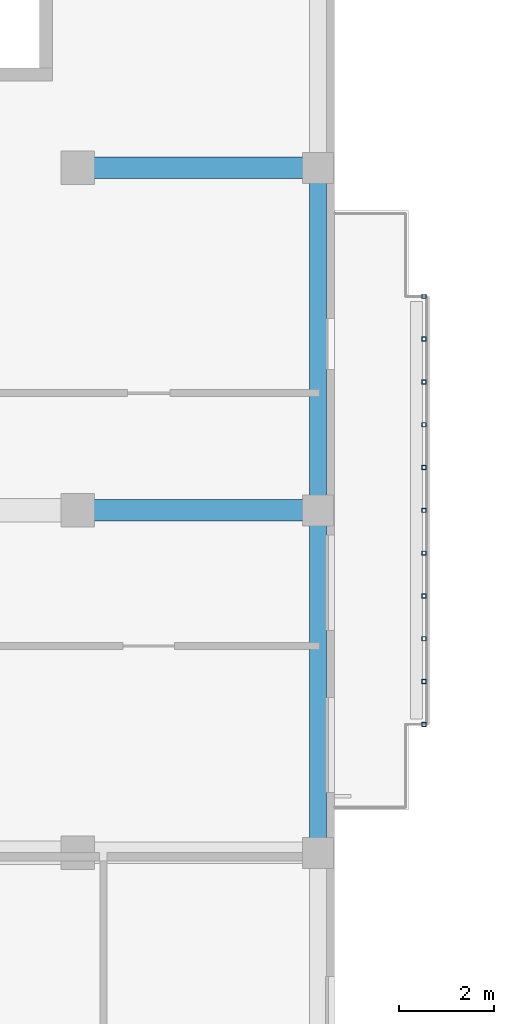
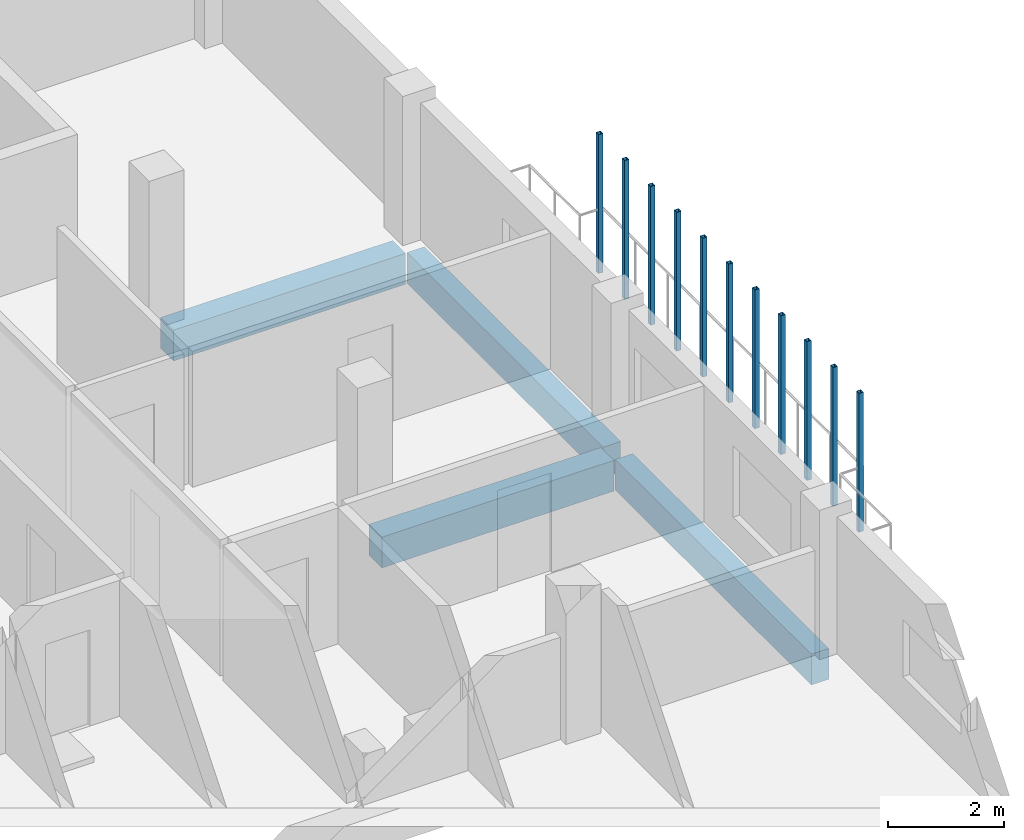
# One storey, part 13 of 51: 11 members, 4 beams.
"""IFC4 building model written with IfcOpenShell, lengths in metres."""

from ifc_helpers import new_model, si_unit, derived_unit, direction, frame, origin, origin_2d, place, context, subcontext, project, spatial, rectangle, hollow_rectangle, extrude, material, material_profile, profile_set, type_object, element, save


model = new_model("IFC4")

# Units and contexts
model_context = context("Model", 3, precision=1e-05, world=origin(), true_north=direction((0.0, 1.0)))
body_context = subcontext(model_context, "Body", "Model", "MODEL_VIEW")
ifc_project = project(units=[si_unit("LENGTHUNIT", "METRE"), si_unit("AREAUNIT", "SQUARE_METRE"), si_unit("VOLUMEUNIT", "CUBIC_METRE"), si_unit("PLANEANGLEUNIT", "RADIAN"), si_unit("MASSUNIT", "GRAM", prefix="KILO"), derived_unit("THERMALTRANSMITTANCEUNIT", [(si_unit("MASSUNIT", "GRAM", prefix="KILO"), 1), (si_unit("TIMEUNIT", "SECOND"), -3), (si_unit("THERMODYNAMICTEMPERATUREUNIT", "KELVIN"), -1)])], contexts=[model_context])

# Site, building, storey
site_placement = place(None, origin())
site = spatial("IfcSite", under=ifc_project, at=site_placement, CompositionType="ELEMENT")
building_placement = place(site_placement, origin())
building = spatial("IfcBuilding", under=site, at=building_placement, Name="Ochrekiln Boulevard Commons", CompositionType="ELEMENT")
storey_placement = place(building_placement, frame((0.0, 0.0, 15.22509765625)))
storey = spatial("IfcBuildingStorey", under=building, at=storey_placement, Name="L04", CompositionType="ELEMENT", Elevation=15.22509765625)

# Beams
ifc_material_1 = material(Name="Concrete C35/45", Category="concrete")
ifc_material_profile_1 = material_profile(ifc_material_1, rectangle(XDim=0.449951171875, YDim=0.64990234375, at=origin_2d()), Name="RC-BM-450x650")
ifc_profile_set_1 = profile_set([ifc_material_profile_1], Name="Concrete C35/45")
beam_type_1 = type_object("IfcBeamType", Name="BM-RC-450x650", PredefinedType="BEAM", material=ifc_profile_set_1)
for number, where, z_axis, x_axis, name in (
    (1, (16.409912109375, 104.39990234375, -0.585205078125), (1.0, 0.0, 0.0), (0.0, 1.0, 0.0), "Block A L04 Beam B-4565 X17"),
    (2, (16.409912109375, 111.60009765625, -0.585205078125), (1.0, 0.0, 0.0), (0.0, 1.0, 0.0), "Block A L04 Beam B-4565 X19"),
):
    element("IfcBeam", number, at=place(storey_placement, frame(where, z_axis=z_axis, x_axis=x_axis)), inside=storey, type_object=beam_type_1, Name=name, PredefinedType="BEAM", context=body_context, shape_type="SweptSolid", body=[
        extrude(rectangle(XDim=0.449951171875, YDim=0.64990234375, at=origin_2d()), origin(), (0.0, 0.0, 1.0), 4.630126953125),
    ])

# Members
ifc_material_2 = material(Name="Steel A500 Grade C", Category="steel")
ifc_material_profile_2 = material_profile(ifc_material_2, hollow_rectangle(XDim=0.090087890625, YDim=0.090087890625, WallThickness=0.00634765625, at=origin_2d()), Name="HSS90X90X6.4")
ifc_profile_set_2 = profile_set([ifc_material_profile_2], Name="Steel A500 Grade C")
member_type = type_object("IfcMemberType", Name="MEM-PST-HSS90", PredefinedType="POST", material=ifc_profile_set_2)
for number, where, z_axis, x_axis, name in (
    (3, (23.47998046875, 99.89990234375, 0.0), (0.0, 0.0, 1.0), (1.0, 0.0, 0.0), "Block A L04 Slim Vertical Balcony Post (100)"),
    (4, (23.47998046875, 100.800048828125, 0.0), (0.0, 0.0, 1.0), (1.0, 0.0, 0.0), "Block A L04 Slim Vertical Balcony Post (101)"),
    (5, (23.47998046875, 101.699951171875, 0.0), (0.0, 0.0, 1.0), (1.0, 0.0, 0.0), "Block A L04 Slim Vertical Balcony Post (102)"),
    (6, (23.47998046875, 102.60009765625, 0.0), (0.0, 0.0, 1.0), (1.0, 0.0, 0.0), "Block A L04 Slim Vertical Balcony Post (103)"),
    (7, (23.47998046875, 103.5, 0.0), (0.0, 0.0, 1.0), (1.0, 0.0, 0.0), "Block A L04 Slim Vertical Balcony Post (104)"),
    (8, (23.47998046875, 104.39990234375, 0.0), (0.0, 0.0, 1.0), (1.0, 0.0, 0.0), "Block A L04 Slim Vertical Balcony Post (105)"),
    (9, (23.47998046875, 105.300048828125, 0.0), (0.0, 0.0, 1.0), (1.0, 0.0, 0.0), "Block A L04 Slim Vertical Balcony Post (106)"),
    (10, (23.47998046875, 106.199951171875, 0.0), (0.0, 0.0, 1.0), (1.0, 0.0, 0.0), "Block A L04 Slim Vertical Balcony Post (107)"),
    (11, (23.47998046875, 107.10009765625, 0.0), (0.0, 0.0, 1.0), (1.0, 0.0, 0.0), "Block A L04 Slim Vertical Balcony Post (108)"),
    (12, (23.47998046875, 108.0, 0.0), (0.0, 0.0, 1.0), (1.0, 0.0, 0.0), "Block A L04 Slim Vertical Balcony Post (109)"),
    (13, (23.47998046875, 108.89990234375, 0.0), (0.0, 0.0, 1.0), (1.0, 0.0, 0.0), "Block A L04 Slim Vertical Balcony Post (110)"),
):
    element("IfcMember", number, at=place(storey_placement, frame(where, z_axis=z_axis, x_axis=x_axis)), inside=storey, type_object=member_type, Name=name, PredefinedType="POST", context=body_context, shape_type="SweptSolid", body=[
        extrude(hollow_rectangle(XDim=0.090087890625, YDim=0.090087890625, WallThickness=0.00634765625, at=origin_2d()), origin(), (0.0, 0.0, 1.0), 2.929931640625),
    ])

# Beams
ifc_material_3 = material(Name="Concrete C40/50", Category="concrete")
ifc_material_profile_3 = material_profile(ifc_material_3, rectangle(XDim=0.35009765625, YDim=0.64990234375, at=origin_2d()), Name="RC-SPN-350x650")
ifc_profile_set_3 = profile_set([ifc_material_profile_3], Name="Concrete C40/50")
beam_type_2 = type_object("IfcBeamType", Name="SPN-RC-350x650", PredefinedType="SPANDREL", material=ifc_profile_set_3)
beam_1_placement = place(storey_placement, frame((21.25, 97.409912109375, -0.585205078125), z_axis=(0.0, 1.0, 0.0), x_axis=(-1.0, 0.0, 0.0)))
element("IfcBeam", 14, at=beam_1_placement, inside=storey, type_object=beam_type_2, Name="Block A L04 Beam SP-3565 Y34", PredefinedType="SPANDREL", context=body_context, shape_type="SweptSolid", body=[
    extrude(rectangle(XDim=0.35009765625, YDim=0.64990234375, at=origin_2d()), origin(), (0.0, 0.0, 1.0), 6.780029296875),
])
beam_2_placement = place(storey_placement, frame((21.25, 104.610107421875, -0.585205078125), z_axis=(0.0, 1.0, 0.0), x_axis=(-1.0, 0.0, 0.0)))
element("IfcBeam", 15, at=beam_2_placement, inside=storey, type_object=beam_type_2, Name="Block A L04 Beam SP-3565 Y35", PredefinedType="SPANDREL", context=body_context, shape_type="SweptSolid", body=[
    extrude(rectangle(XDim=0.35009765625, YDim=0.64990234375, at=origin_2d()), origin(), (0.0, 0.0, 1.0), 6.77978515625),
])

save(model, "model.ifc")
